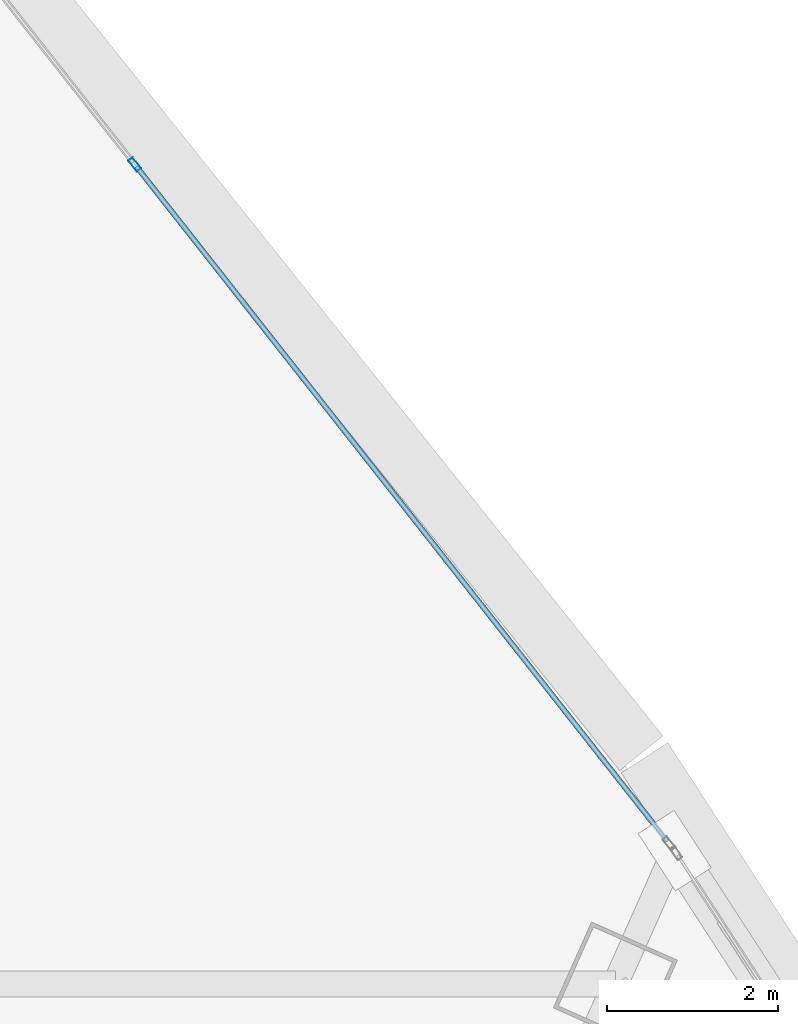
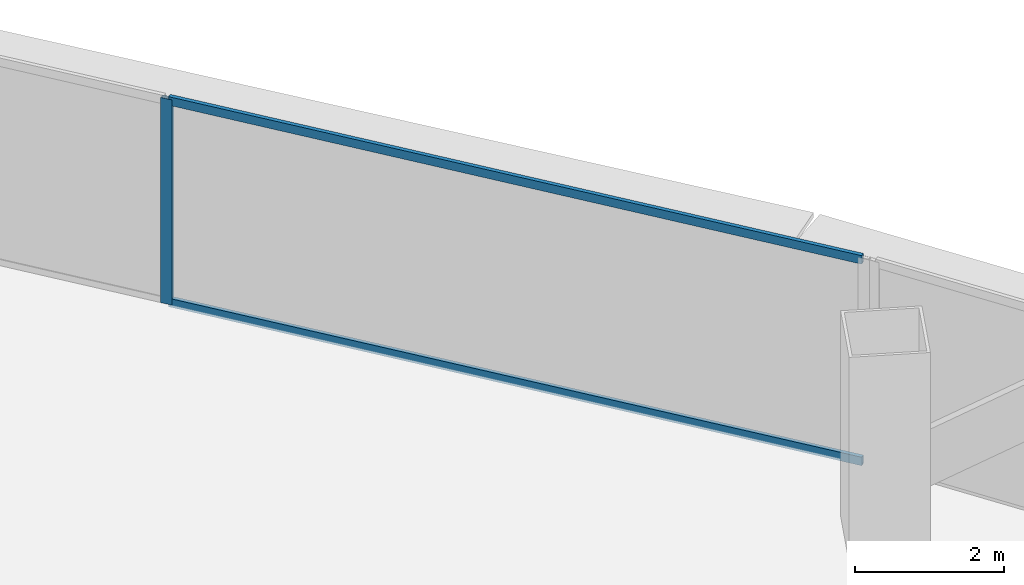
# One storey, part 28 of 42: 3 members, 1 element without a shape of its own.
"""IFC4 building model written with IfcOpenShell, lengths in metres."""

from ifc_helpers import new_model, si_unit, direction, frame, origin, origin_2d, place, context, subcontext, project, spatial, hollow_rectangle, extrude, source, transform, mapped, material, layer, layer_set, material_profile, profile_set, type_object, element, aggregate, save


model = new_model("IFC4")

# Units and contexts
model_context = context("Model", 3, precision=1e-05, world=origin(), true_north=direction((0.0, 1.0)))
body_context = subcontext(model_context, "Body", "Model", "MODEL_VIEW")
ifc_project = project(units=[si_unit("LENGTHUNIT", "METRE"), si_unit("AREAUNIT", "SQUARE_METRE"), si_unit("VOLUMEUNIT", "CUBIC_METRE"), si_unit("PLANEANGLEUNIT", "RADIAN"), si_unit("MASSUNIT", "GRAM", prefix="KILO"), si_unit("THERMODYNAMICTEMPERATUREUNIT", "KELVIN"), si_unit("POWERUNIT", "WATT")], contexts=[model_context])

# Site, building, storey
site_placement = place(None, origin())
site = spatial("IfcSite", under=ifc_project, at=site_placement, CompositionType="ELEMENT")
building_placement = place(site_placement, origin())
building = spatial("IfcBuilding", under=site, at=building_placement, Name="Yunzhuo Pagoda Commons", CompositionType="ELEMENT")
storey_placement = place(building_placement, frame((0.0, 0.0, 48.550048828125)))
storey = spatial("IfcBuildingStorey", under=building, at=storey_placement, Name="L12", CompositionType="ELEMENT", Elevation=48.550048828125)

# Curtain wall, members
ifc_material = material(Name="Anodized aluminium 6063-T6", Category="aluminium")
ifc_layer = layer(ifc_material, 0.1650390625)
ifc_layer_set = layer_set([ifc_layer], Name="Anodized aluminium 6063-T6")
curtain_wall_type = type_object("IfcCurtainWallType", Name="CW-LOW Low-Zone Ribbon Curtain Wall", PredefinedType="NOTDEFINED", material=ifc_layer_set)
curtain_wall_placement = place(storey_placement, origin())
curtain_wall = element("IfcCurtainWall", 1, at=curtain_wall_placement, inside=storey, type_object=curtain_wall_type, Name="L12 curtain wall CW-L12-F2B5", PredefinedType="NOTDEFINED")
ifc_material_profile_1 = material_profile(ifc_material, hollow_rectangle(XDim=0.06494140625, YDim=0.1650390625, WallThickness=0.00390625, at=origin_2d()), Name="Anodized aluminium 6063-T6")
ifc_profile_set_1 = profile_set([ifc_material_profile_1], Name="Anodized aluminium 6063-T6")
member_type_1 = type_object("IfcMemberType", Name="CW-LOW-M Mullion RHS 165x65x4", PredefinedType="MULLION", material=ifc_profile_set_1)
shared_shape_1 = source(origin(), body_context, "Body", "SweptSolid", [
    extrude(hollow_rectangle(XDim=0.06494140625, YDim=0.1650390625, WallThickness=0.00390625, at=origin_2d()), origin(), (0.0, 0.0, 1.0), 3.369873046875),
])
member_1_placement = place(storey_placement, frame((58.989013671875, 80.5966796875, 0.0), z_axis=(0.0, 0.0, 1.0), x_axis=(-0.785883026265, -0.61837518468, 0.0)))
member_1 = element("IfcMember", 2, at=member_1_placement, type_object=member_type_1, Name="CW mullion 2", PredefinedType="MULLION", context=body_context, shape_type="MappedRepresentation", body=[
    mapped(shared_shape_1, transform((0.0, 0.0, 0.0), scale=1.0)),
])
ifc_material_profile_2 = material_profile(ifc_material, hollow_rectangle(XDim=0.06005859375, YDim=0.139892578125, WallThickness=0.00341796875, at=origin_2d()), Name="Anodized aluminium 6063-T6")
ifc_profile_set_2 = profile_set([ifc_material_profile_2], Name="Anodized aluminium 6063-T6")
member_type_2 = type_object("IfcMemberType", Name="CW-LOW-T Transom RHS 140x60x3.5", PredefinedType="USERDEFINED", material=ifc_profile_set_2)
shared_shape_2 = source(origin(), body_context, "Body", "SweptSolid", [
    extrude(hollow_rectangle(XDim=0.06005859375, YDim=0.139892578125, WallThickness=0.00341796875, at=origin_2d()), origin(), (0.0, 0.0, 1.0), 10.042724609375),
])
member_2_placement = place(storey_placement, frame((65.218994140625, 72.6787109375, 0.030029296875), z_axis=(-0.618380762266, 0.785878637488, 0.0), x_axis=(-0.785878637488, -0.618380762266, 0.0)))
member_2 = element("IfcMember", 3, at=member_2_placement, type_object=member_type_2, Name="CW transom 1.1", ObjectType="TRANSOM", PredefinedType="USERDEFINED", context=body_context, shape_type="MappedRepresentation", body=[
    mapped(shared_shape_2, transform((0.0, 0.0, 0.0), scale=1.0)),
])
member_3_placement = place(storey_placement, frame((65.218994140625, 72.6787109375, 3.33984375), z_axis=(-0.618380762266, 0.785878637488, 0.0), x_axis=(-0.785878637488, -0.618380762266, 0.0)))
member_3 = element("IfcMember", 4, at=member_3_placement, type_object=member_type_2, Name="CW transom 1.2", ObjectType="TRANSOM", PredefinedType="USERDEFINED", context=body_context, shape_type="MappedRepresentation", body=[
    mapped(shared_shape_2, transform((0.0, 0.0, 0.0), scale=1.0)),
])
aggregate(curtain_wall, [member_1, member_2, member_3])

save(model, "model.ifc")
